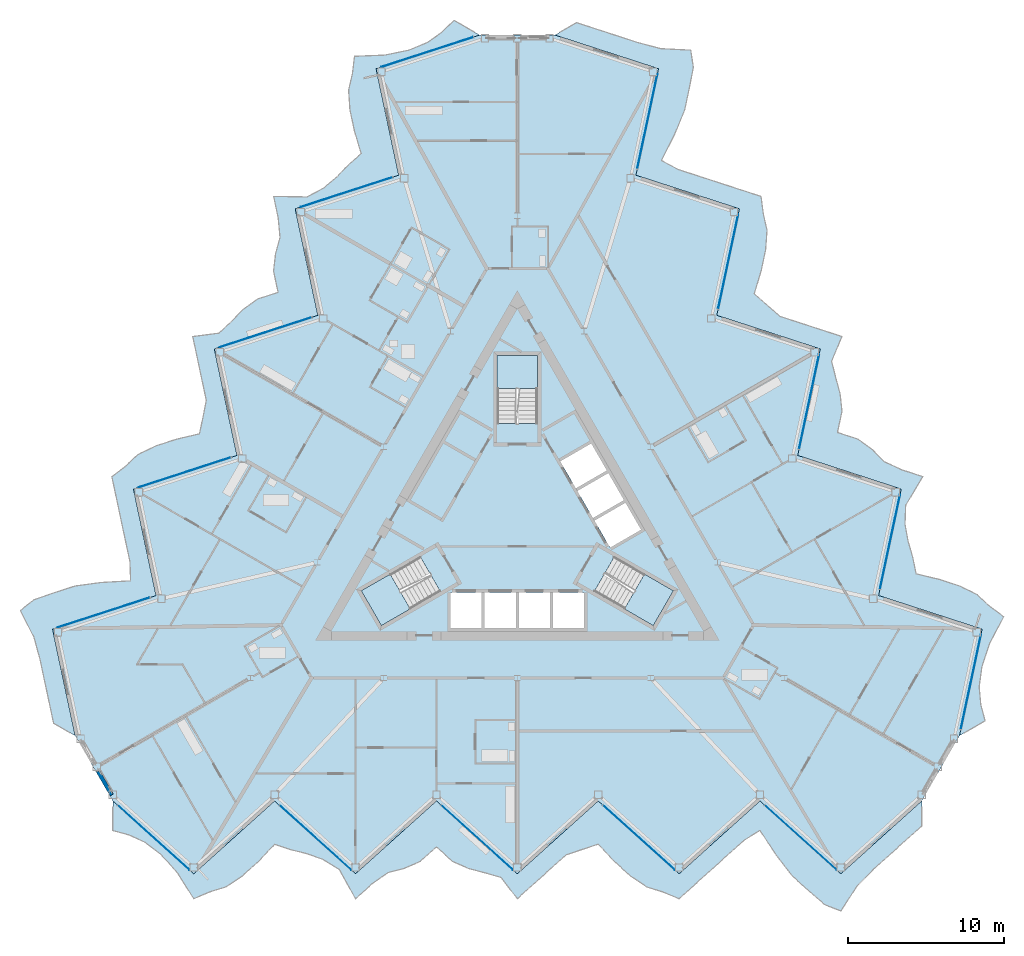
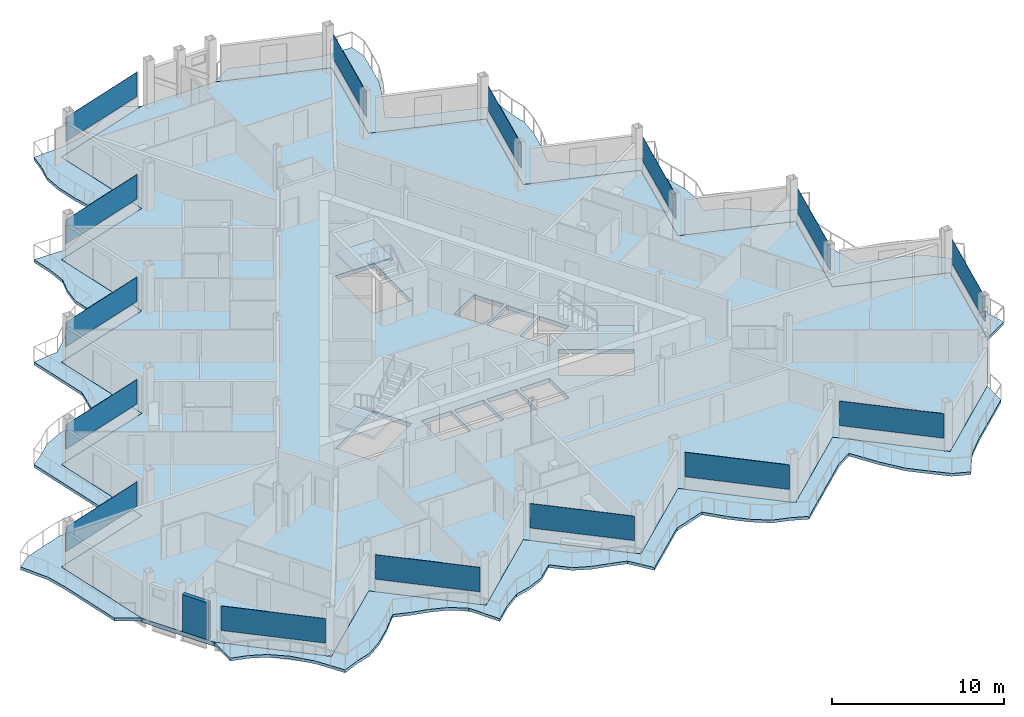
# One storey, part 11 of 26: 15 plates, 7 slabs, 1 wall, 18 elements without a shape of their own.
"""IFC4 building model written with IfcOpenShell, lengths in metres."""

from ifc_helpers import new_model, si_unit, direction, frame, frame_2d, origin, origin_2d, place, context, subcontext, project, spatial, polyline, rectangle, outline, extrude, material, layer, layer_set, type_object, element, aggregate, save


model = new_model("IFC4")

# Units and contexts
model_context = context("Model", 3, precision=1e-05, world=origin(), true_north=direction((0.0, 1.0)))
body_context = subcontext(model_context, "Body", "Model", "MODEL_VIEW")
ifc_project = project(units=[si_unit("LENGTHUNIT", "METRE"), si_unit("AREAUNIT", "SQUARE_METRE"), si_unit("VOLUMEUNIT", "CUBIC_METRE"), si_unit("PLANEANGLEUNIT", "RADIAN"), si_unit("MASSUNIT", "GRAM", prefix="KILO")], contexts=[model_context])

# Site, building, storey
site_placement = place(None, origin())
site = spatial("IfcSite", under=ifc_project, at=site_placement, CompositionType="ELEMENT")
building_placement = place(site_placement, origin())
building = spatial("IfcBuilding", under=site, at=building_placement, Name="Cormorant Prow Tower", CompositionType="ELEMENT")
storey_placement = place(building_placement, frame((0.0, 0.0, 384.800048828125)))
storey = spatial("IfcBuildingStorey", under=building, at=storey_placement, Name="L87", CompositionType="ELEMENT", Elevation=384.800048828125)

# Slabs
ifc_material_1 = material(Name="Concrete C40/50", Category="concrete")
ifc_layer_1 = layer(ifc_material_1, 0.199951171875)
ifc_layer_set_1 = layer_set([ifc_layer_1], Name="Concrete C40/50")
slab_type_1 = type_object("IfcSlabType", Name="Balcony slab 200", PredefinedType="FLOOR", material=ifc_layer_set_1)
slab_1_placement = place(storey_placement, frame((0.0, 0.0, -0.199951171875)))
element("IfcSlab", 1, at=slab_1_placement, inside=storey, type_object=slab_type_1, Name="Balcony slab S L87", PredefinedType="FLOOR", context=body_context, shape_type="SweptSolid", body=[
    extrude(outline(polyline([(-26.0, -17.8095703125), (-26.0, -19.709716796875), (-24.9599609375, -19.9931640625), (-23.919921875, -20.468994140625), (-22.8798828125, -21.272705078125), (-21.840087890625, -22.443359375), (-20.800048828125, -24.091796875), (-19.760009765625, -23.6494140625), (-18.719970703125, -23.329345703125), (-17.679931640625, -22.632568359375), (-16.639892578125, -21.696044921875), (-15.60009765625, -20.595458984375), (-14.56005859375, -20.940673828125), (-13.52001953125, -21.19921875), (-12.47998046875, -21.570556640625), (-11.43994140625, -22.221435546875), (-10.39990234375, -24.091796875), (-9.360107421875, -23.1552734375), (-8.320068359375, -22.416259765625), (-7.280029296875, -22.145751953125), (-6.239990234375, -21.696044921875), (-5.199951171875, -20.759765625), (-4.159912109375, -21.696044921875), (-3.1201171875, -22.1552734375), (-2.080078125, -22.427001953125), (-1.0400390625, -22.725830078125), (0.0, -24.091796875), (1.0400390625, -23.1552734375), (2.080078125, -22.218994140625), (3.1201171875, -21.282470703125), (4.159912109375, -20.930419921875), (5.199951171875, -20.587890625), (6.239990234375, -21.696044921875), (7.280029296875, -22.632568359375), (8.320068359375, -23.33740234375), (9.360107421875, -23.659912109375), (10.39990234375, -24.091796875), (11.43994140625, -23.1552734375), (12.47998046875, -22.218994140625), (13.52001953125, -21.282470703125), (14.56005859375, -20.34619140625), (15.60009765625, -19.698974609375), (16.639892578125, -21.289794921875), (17.679931640625, -22.632568359375), (18.719970703125, -23.56884765625), (19.760009765625, -24.473388671875), (20.800048828125, -24.881103515625), (21.840087890625, -23.27197265625), (22.8798828125, -22.218994140625), (23.919921875, -21.282470703125), (24.9599609375, -20.34619140625), (26.0, -19.40966796875), (26.0, -17.8095703125), (24.9599609375, -18.74609375), (23.919921875, -19.6826171875), (22.8798828125, -20.618896484375), (21.840087890625, -21.555419921875), (20.800048828125, -22.49169921875), (19.760009765625, -21.555419921875), (18.719970703125, -20.618896484375), (17.679931640625, -19.6826171875), (16.639892578125, -18.74609375), (15.60009765625, -17.8095703125), (14.56005859375, -18.74609375), (13.52001953125, -19.6826171875), (12.47998046875, -20.618896484375), (11.43994140625, -21.555419921875), (10.39990234375, -22.49169921875), (9.360107421875, -21.555419921875), (8.320068359375, -20.618896484375), (7.280029296875, -19.6826171875), (6.239990234375, -18.74609375), (5.199951171875, -17.8095703125), (4.159912109375, -18.74609375), (3.1201171875, -19.6826171875), (2.080078125, -20.618896484375), (1.0400390625, -21.555419921875), (0.0, -22.49169921875), (-1.0400390625, -21.555419921875), (-2.080078125, -20.618896484375), (-3.1201171875, -19.6826171875), (-4.159912109375, -18.74609375), (-5.199951171875, -17.8095703125), (-6.239990234375, -18.74609375), (-7.280029296875, -19.6826171875), (-8.320068359375, -20.618896484375), (-9.360107421875, -21.555419921875), (-10.39990234375, -22.49169921875), (-11.43994140625, -21.555419921875), (-12.47998046875, -20.618896484375), (-13.52001953125, -19.6826171875), (-14.56005859375, -18.74609375), (-15.60009765625, -17.8095703125), (-16.639892578125, -18.74609375), (-17.679931640625, -19.6826171875), (-18.719970703125, -20.618896484375), (-19.760009765625, -21.555419921875), (-20.800048828125, -22.49169921875), (-21.840087890625, -21.555419921875), (-22.8798828125, -20.618896484375), (-23.919921875, -19.6826171875), (-24.9599609375, -18.74609375), (-26.0, -17.8095703125)])), origin(), (0.0, 0.0, 1.0), 0.199951171875),
])
slab_2_placement = place(storey_placement, frame((0.0, 0.0, -0.199951171875)))
element("IfcSlab", 2, at=slab_2_placement, inside=storey, type_object=slab_type_1, Name="Balcony slab ENE L87", PredefinedType="FLOOR", context=body_context, shape_type="SweptSolid", body=[
    extrude(outline(polyline([(28.423583984375, -13.61181640625), (30.069091796875, -12.661865234375), (29.794677734375, -11.619384765625), (29.686767578125, -10.48095703125), (29.86279296875, -9.17822265625), (30.356689453125, -7.6923828125), (31.26416015625, -5.967529296875), (30.36083984375, -5.2880859375), (29.563720703125, -4.54736328125), (28.4404296875, -3.9951171875), (27.109375, -3.562744140625), (25.63623046875, -3.21240234375), (25.415283203125, -2.138916015625), (25.119140625, -1.109130859375), (24.920654296875, -0.022705078125), (24.964111328125, 1.203369140625), (26.06396484375, 3.039306640625), (24.733154296875, 3.4716796875), (23.572998046875, 4.0029296875), (22.81884765625, 4.768310546875), (21.909423828125, 5.444091796875), (20.578369140625, 5.87646484375), (20.869384765625, 7.245361328125), (20.7470703125, 8.37548828125), (20.46240234375, 9.412109375), (20.201171875, 10.462158203125), (20.864013671875, 12.0458984375), (19.533203125, 12.478271484375), (18.2021484375, 12.910888671875), (16.87109375, 13.34326171875), (16.046142578125, 14.06787109375), (15.229736328125, 14.79736328125), (15.66943359375, 16.251953125), (15.960205078125, 17.620849609375), (16.05078125, 18.8740234375), (15.81005859375, 19.935791015625), (15.6640625, 21.052490234375), (14.3330078125, 21.485107421875), (13.002197265625, 21.91748046875), (11.671142578125, 22.349853515625), (10.34033203125, 22.782470703125), (9.259765625, 23.359619140625), (10.11767578125, 25.0556640625), (10.76025390625, 26.627685546875), (11.05126953125, 27.996337890625), (11.314697265625, 29.349365234375), (11.147705078125, 30.453857421875), (9.234130859375, 30.550048828125), (7.80224609375, 30.924072265625), (6.47119140625, 31.356689453125), (5.14013671875, 31.7890625), (3.809326171875, 32.221435546875), (2.423583984375, 31.42138671875), (3.754638671875, 30.989013671875), (5.08544921875, 30.556640625), (6.41650390625, 30.1240234375), (7.74755859375, 29.691650390625), (9.078369140625, 29.25927734375), (8.787353515625, 27.890380859375), (8.49658203125, 26.521484375), (8.20556640625, 25.152587890625), (7.91455078125, 23.78369140625), (7.62353515625, 22.414794921875), (8.95458984375, 21.982421875), (10.28564453125, 21.5498046875), (11.616455078125, 21.117431640625), (12.947509765625, 20.68505859375), (14.2783203125, 20.25244140625), (13.987548828125, 18.8837890625), (13.696533203125, 17.514892578125), (13.405517578125, 16.14599609375), (13.114501953125, 14.777099609375), (12.82373046875, 13.408203125), (14.154541015625, 12.9755859375), (15.485595703125, 12.543212890625), (16.81640625, 12.11083984375), (18.1474609375, 11.67822265625), (19.478515625, 11.245849609375), (19.1875, 9.876953125), (18.896484375, 8.508056640625), (18.60546875, 7.13916015625), (18.314697265625, 5.770263671875), (18.023681640625, 4.401611328125), (19.3544921875, 3.968994140625), (20.685546875, 3.53662109375), (22.0166015625, 3.104248046875), (23.347412109375, 2.671630859375), (24.678466796875, 2.2392578125), (24.387451171875, 0.870361328125), (24.096435546875, -0.49853515625), (23.8056640625, -1.867431640625), (23.5146484375, -3.236328125), (23.2236328125, -4.605224609375), (24.5546875, -5.03759765625), (25.885498046875, -5.469970703125), (27.216552734375, -5.902587890625), (28.54736328125, -6.3349609375), (29.87841796875, -6.767333984375), (29.58740234375, -8.13623046875), (29.29638671875, -9.505126953125), (29.005615234375, -10.8740234375), (28.714599609375, -12.242919921875), (28.423583984375, -13.61181640625)])), origin(), (0.0, 0.0, 1.0), 0.199951171875),
])
slab_3_placement = place(storey_placement, frame((0.0, 0.0, -0.199951171875)))
element("IfcSlab", 3, at=slab_3_placement, inside=storey, type_object=slab_type_1, Name="Balcony slab WNW L87", PredefinedType="FLOOR", context=body_context, shape_type="SweptSolid", body=[
    extrude(outline(polyline([(-2.423583984375, 31.42138671875), (-4.069091796875, 32.37158203125), (-4.834716796875, 31.612548828125), (-5.7666015625, 30.94970703125), (-6.982666015625, 30.450927734375), (-8.5166015625, 30.1357421875), (-10.464111328125, 30.059326171875), (-10.600830078125, 28.937255859375), (-10.84375, 27.876708984375), (-10.76025390625, 26.627685546875), (-10.46923828125, 25.2587890625), (-10.0361328125, 23.8076171875), (-10.855224609375, 23.07958984375), (-11.59912109375, 22.308349609375), (-12.440673828125, 21.59326171875), (-13.524169921875, 21.01806640625), (-15.6640625, 21.052490234375), (-15.373046875, 19.68359375), (-15.253173828125, 18.41357421875), (-15.538818359375, 17.37744140625), (-15.66943359375, 16.251953125), (-15.37841796875, 14.883056640625), (-16.70947265625, 14.45068359375), (-17.626953125, 13.779541015625), (-18.38232421875, 13.014892578125), (-19.1611328125, 12.263671875), (-20.864013671875, 12.0458984375), (-20.572998046875, 10.677001953125), (-20.2822265625, 9.30810546875), (-19.9912109375, 7.939208984375), (-20.206298828125, 6.862548828125), (-20.4296875, 5.79052734375), (-21.909423828125, 5.444091796875), (-23.240234375, 5.011474609375), (-24.370849609375, 4.46337890625), (-25.169921875, 3.723876953125), (-26.06396484375, 3.039306640625), (-25.773193359375, 1.67041015625), (-25.482177734375, 0.301513671875), (-25.191162109375, -1.0673828125), (-24.900146484375, -2.436279296875), (-24.85986328125, -3.660400390625), (-26.757568359375, -3.765625), (-28.4404296875, -3.9951171875), (-29.771240234375, -4.427490234375), (-31.07470703125, -4.8759765625), (-31.94775390625, -5.57275390625), (-31.073974609375, -7.278076171875), (-30.68212890625, -8.705322265625), (-30.39111328125, -10.073974609375), (-30.100341796875, -11.44287109375), (-29.809326171875, -12.811767578125), (-28.423583984375, -13.61181640625), (-28.714599609375, -12.242919921875), (-29.005615234375, -10.8740234375), (-29.29638671875, -9.505126953125), (-29.58740234375, -8.13623046875), (-29.87841796875, -6.767333984375), (-28.54736328125, -6.3349609375), (-27.216552734375, -5.902587890625), (-25.885498046875, -5.469970703125), (-24.5546875, -5.03759765625), (-23.2236328125, -4.605224609375), (-23.5146484375, -3.236328125), (-23.8056640625, -1.867431640625), (-24.096435546875, -0.49853515625), (-24.387451171875, 0.870361328125), (-24.678466796875, 2.2392578125), (-23.347412109375, 2.671630859375), (-22.0166015625, 3.104248046875), (-20.685546875, 3.53662109375), (-19.3544921875, 3.968994140625), (-18.023681640625, 4.401611328125), (-18.314697265625, 5.770263671875), (-18.60546875, 7.13916015625), (-18.896484375, 8.508056640625), (-19.1875, 9.876953125), (-19.478515625, 11.245849609375), (-18.1474609375, 11.67822265625), (-16.81640625, 12.11083984375), (-15.485595703125, 12.543212890625), (-14.154541015625, 12.9755859375), (-12.82373046875, 13.408203125), (-13.114501953125, 14.777099609375), (-13.405517578125, 16.14599609375), (-13.696533203125, 17.514892578125), (-13.987548828125, 18.8837890625), (-14.2783203125, 20.25244140625), (-12.947509765625, 20.68505859375), (-11.616455078125, 21.117431640625), (-10.28564453125, 21.5498046875), (-8.95458984375, 21.982421875), (-7.62353515625, 22.414794921875), (-7.91455078125, 23.78369140625), (-8.20556640625, 25.152587890625), (-8.49658203125, 26.521484375), (-8.787353515625, 27.890380859375), (-9.078369140625, 29.25927734375), (-7.74755859375, 29.691650390625), (-6.41650390625, 30.1240234375), (-5.08544921875, 30.556640625), (-3.754638671875, 30.989013671875), (-2.423583984375, 31.42138671875)])), origin(), (0.0, 0.0, 1.0), 0.199951171875),
])
ifc_material_2 = material(Name="Concrete C40/50", Category="concrete")
ifc_layer_2 = layer(ifc_material_2, 0.300048828125)
ifc_layer_set_2 = layer_set([ifc_layer_2], Name="Concrete C40/50")
slab_type_2 = type_object("IfcSlabType", Name="Post-tensioned flat slab 300", PredefinedType="FLOOR", material=ifc_layer_set_2)
slab_4_placement = place(storey_placement, frame((0.0, 0.0, -0.300048828125)))
element("IfcSlab", 4, at=slab_4_placement, inside=storey, type_object=slab_type_2, Name="Floor slab L87", PredefinedType="FLOOR", context=body_context, shape_type="SweptSolid", body=[
    extrude(outline(polyline([(-7.62353515625, 22.414794921875), (-14.2783203125, 20.25244140625), (-12.82373046875, 13.408203125), (-19.478515625, 11.245849609375), (-18.023681640625, 4.401611328125), (-24.678466796875, 2.2392578125), (-23.2236328125, -4.605224609375), (-29.87841796875, -6.767333984375), (-28.423583984375, -13.61181640625), (-27.2119140625, -15.710693359375), (-26.0, -17.8095703125), (-20.800048828125, -22.49169921875), (-15.60009765625, -17.8095703125), (-10.39990234375, -22.49169921875), (-5.199951171875, -17.8095703125), (0.0, -22.49169921875), (5.199951171875, -17.8095703125), (10.39990234375, -22.49169921875), (15.60009765625, -17.8095703125), (20.800048828125, -22.49169921875), (26.0, -17.8095703125), (27.2119140625, -15.710693359375), (28.423583984375, -13.61181640625), (29.87841796875, -6.767333984375), (23.2236328125, -4.605224609375), (24.678466796875, 2.2392578125), (18.023681640625, 4.401611328125), (19.478515625, 11.245849609375), (12.82373046875, 13.408203125), (14.2783203125, 20.25244140625), (7.62353515625, 22.414794921875), (9.078369140625, 29.25927734375), (2.423583984375, 31.42138671875), (0.0, 31.42138671875), (-2.423583984375, 31.42138671875), (-9.078369140625, 29.25927734375), (-7.62353515625, 22.414794921875)]), holes=[polyline([(-4.300048828125, -4.39990234375), (-2.300048828125, -4.39990234375), (-2.300048828125, -6.699951171875), (-4.300048828125, -6.699951171875), (-4.300048828125, -4.39990234375)]), polyline([(-0.10009765625, -4.39990234375), (-0.10009765625, -6.699951171875), (-2.10009765625, -6.699951171875), (-2.10009765625, -4.39990234375), (-0.10009765625, -4.39990234375)]), polyline([(2.10009765625, -6.699951171875), (0.10009765625, -6.699951171875), (0.10009765625, -4.39990234375), (2.10009765625, -4.39990234375), (2.10009765625, -6.699951171875)]), polyline([(2.300048828125, -6.699951171875), (2.300048828125, -4.39990234375), (4.300048828125, -4.39990234375), (4.300048828125, -6.699951171875), (2.300048828125, -6.699951171875)]), polyline([(5.96044921875, -1.52392578125), (4.96044921875, 0.2080078125), (6.952392578125, 1.358154296875), (7.952392578125, -0.373779296875), (5.96044921875, -1.52392578125)]), polyline([(3.860595703125, 2.11328125), (5.852294921875, 3.263427734375), (6.852294921875, 1.53125), (4.860595703125, 0.38134765625), (3.860595703125, 2.11328125)]), polyline([(4.75244140625, 5.168701171875), (5.75244140625, 3.4365234375), (3.760498046875, 2.28662109375), (2.760498046875, 4.018798828125), (4.75244140625, 5.168701171875)]), polyline([(-4.947509765625, -4.3505859375), (-8.738037109375, -6.5390625), (-10.031982421875, -4.2978515625), (-6.241455078125, -2.109375), (-4.947509765625, -4.3505859375)]), polyline([(10.031982421875, -4.2978515625), (8.738037109375, -6.5390625), (4.947509765625, -4.3505859375), (6.241455078125, -2.109375), (10.031982421875, -4.2978515625)]), polyline([(1.2939453125, 10.8369140625), (1.2939453125, 6.459716796875), (-1.2939453125, 6.459716796875), (-1.2939453125, 10.8369140625), (1.2939453125, 10.8369140625)])]), origin(), (0.0, 0.0, 1.0), 0.300048828125),
])

# Curtain wall, plate
ifc_material_3 = material(Name="Aluminium 6063-T6", Category="aluminium")
ifc_layer_3 = layer(ifc_material_3, 0.159912109375)
ifc_layer_set_3 = layer_set([ifc_layer_3], Name="Aluminium 6063-T6")
curtain_wall_type = type_object("IfcCurtainWallType", Name="Residential unitised curtain wall 160", PredefinedType="NOTDEFINED", material=ifc_layer_set_3)
curtain_wall_1_placement = place(storey_placement, origin())
curtain_wall_1 = element("IfcCurtainWall", 5, at=curtain_wall_1_placement, inside=storey, type_object=curtain_wall_type, Name="Residential curtain wall S00", PredefinedType="NOTDEFINED")
ifc_material_4 = material(Name="Clear glass", Category="glass")
ifc_layer_4 = layer(ifc_material_4, 0.02392578125)
ifc_layer_set_4 = layer_set([ifc_layer_4], Name="Clear glass")
plate_type = type_object("IfcPlateType", Name="Residential glass panel 24", PredefinedType="CURTAIN_PANEL", material=ifc_layer_set_4)
plate_1_placement = place(storey_placement, frame((-23.38134765625, -20.16748046875, 0.89990234375), z_axis=(0.0, 0.0, 1.0), x_axis=(0.743144827638, -0.669130603959, 0.0)))
plate_1 = element("IfcPlate", 6, at=plate_1_placement, type_object=plate_type, Name="Residential glass panel S00", PredefinedType="CURTAIN_PANEL", context=body_context, shape_type="SweptSolid", body=[
    extrude(rectangle(XDim=6.21533203125, YDim=0.02392578125, at=origin_2d()), origin(), (0.0, 0.0, 1.0), 1.73388671875),
])
aggregate(curtain_wall_1, [plate_1])

curtain_wall_2_placement = place(storey_placement, origin())
curtain_wall_2 = element("IfcCurtainWall", 7, at=curtain_wall_2_placement, inside=storey, type_object=curtain_wall_type, Name="Residential curtain wall S02", PredefinedType="NOTDEFINED")
plate_2_placement = place(storey_placement, frame((-12.9814453125, -20.16748046875, 0.89990234375), z_axis=(0.0, 0.0, 1.0), x_axis=(0.743144827638, -0.669130603959, 0.0)))
plate_2 = element("IfcPlate", 8, at=plate_2_placement, type_object=plate_type, Name="Residential glass panel S02", PredefinedType="CURTAIN_PANEL", context=body_context, shape_type="SweptSolid", body=[
    extrude(rectangle(XDim=6.21533203125, YDim=0.02392578125, at=origin_2d()), origin(), (0.0, 0.0, 1.0), 1.73388671875),
])
aggregate(curtain_wall_2, [plate_2])

curtain_wall_3_placement = place(storey_placement, origin())
curtain_wall_3 = element("IfcCurtainWall", 9, at=curtain_wall_3_placement, inside=storey, type_object=curtain_wall_type, Name="Residential curtain wall S04", PredefinedType="NOTDEFINED")
plate_3_placement = place(storey_placement, frame((-2.58154296875, -20.16748046875, 0.89990234375), z_axis=(0.0, 0.0, 1.0), x_axis=(0.743144827638, -0.669130603959, 0.0)))
plate_3 = element("IfcPlate", 10, at=plate_3_placement, type_object=plate_type, Name="Residential glass panel S04", PredefinedType="CURTAIN_PANEL", context=body_context, shape_type="SweptSolid", body=[
    extrude(rectangle(XDim=6.21533203125, YDim=0.02392578125, at=origin_2d()), origin(), (0.0, 0.0, 1.0), 1.73388671875),
])
aggregate(curtain_wall_3, [plate_3])

curtain_wall_4_placement = place(storey_placement, origin())
curtain_wall_4 = element("IfcCurtainWall", 11, at=curtain_wall_4_placement, inside=storey, type_object=curtain_wall_type, Name="Residential curtain wall S06", PredefinedType="NOTDEFINED")
plate_4_placement = place(storey_placement, frame((7.818603515625, -20.16748046875, 0.89990234375), z_axis=(0.0, 0.0, 1.0), x_axis=(0.743144827638, -0.669130603959, 0.0)))
plate_4 = element("IfcPlate", 12, at=plate_4_placement, type_object=plate_type, Name="Residential glass panel S06", PredefinedType="CURTAIN_PANEL", context=body_context, shape_type="SweptSolid", body=[
    extrude(rectangle(XDim=6.21533203125, YDim=0.02392578125, at=origin_2d()), origin(), (0.0, 0.0, 1.0), 1.73388671875),
])
aggregate(curtain_wall_4, [plate_4])

curtain_wall_5_placement = place(storey_placement, origin())
curtain_wall_5 = element("IfcCurtainWall", 13, at=curtain_wall_5_placement, inside=storey, type_object=curtain_wall_type, Name="Residential curtain wall S08", PredefinedType="NOTDEFINED")
plate_5_placement = place(storey_placement, frame((18.218505859375, -20.16748046875, 0.89990234375), z_axis=(0.0, 0.0, 1.0), x_axis=(0.743144827638, -0.669130603959, 0.0)))
plate_5 = element("IfcPlate", 14, at=plate_5_placement, type_object=plate_type, Name="Residential glass panel S08", PredefinedType="CURTAIN_PANEL", context=body_context, shape_type="SweptSolid", body=[
    extrude(rectangle(XDim=6.21533203125, YDim=0.02392578125, at=origin_2d()), origin(), (0.0, 0.0, 1.0), 1.73388671875),
])
aggregate(curtain_wall_5, [plate_5])

curtain_wall_6_placement = place(storey_placement, origin())
curtain_wall_6 = element("IfcCurtainWall", 15, at=curtain_wall_6_placement, inside=storey, type_object=curtain_wall_type, Name="Residential curtain wall ENE00", PredefinedType="NOTDEFINED")
plate_6_placement = place(storey_placement, frame((29.15625, -10.165283203125, 0.89990234375), z_axis=(0.0, 0.0, 1.0), x_axis=(0.207911620089, 0.978147615768, 0.0)))
plate_6 = element("IfcPlate", 16, at=plate_6_placement, type_object=plate_type, Name="Residential glass panel ENE00", PredefinedType="CURTAIN_PANEL", context=body_context, shape_type="SweptSolid", body=[
    extrude(rectangle(XDim=6.21533203125, YDim=0.02392578125, at=origin_2d()), origin(), (0.0, 0.0, 1.0), 1.73388671875),
])
aggregate(curtain_wall_6, [plate_6])

curtain_wall_7_placement = place(storey_placement, origin())
curtain_wall_7 = element("IfcCurtainWall", 17, at=curtain_wall_7_placement, inside=storey, type_object=curtain_wall_type, Name="Residential curtain wall ENE02", PredefinedType="NOTDEFINED")
plate_7_placement = place(storey_placement, frame((23.956298828125, -1.158447265625, 0.89990234375), z_axis=(0.0, 0.0, 1.0), x_axis=(0.207911756835, 0.978147586701, 0.0)))
plate_7 = element("IfcPlate", 18, at=plate_7_placement, type_object=plate_type, Name="Residential glass panel ENE02", PredefinedType="CURTAIN_PANEL", context=body_context, shape_type="SweptSolid", body=[
    extrude(rectangle(XDim=6.21533203125, YDim=0.02392578125, at=origin_2d()), origin(), (0.0, 0.0, 1.0), 1.73388671875),
])
aggregate(curtain_wall_7, [plate_7])

curtain_wall_8_placement = place(storey_placement, origin())
curtain_wall_8 = element("IfcCurtainWall", 19, at=curtain_wall_8_placement, inside=storey, type_object=curtain_wall_type, Name="Residential curtain wall ENE04", PredefinedType="NOTDEFINED")
plate_8_placement = place(storey_placement, frame((18.756103515625, 7.84814453125, 0.89990234375), z_axis=(0.0, 0.0, 1.0), x_axis=(0.207911756835, 0.978147586701, 0.0)))
plate_8 = element("IfcPlate", 20, at=plate_8_placement, type_object=plate_type, Name="Residential glass panel ENE04", PredefinedType="CURTAIN_PANEL", context=body_context, shape_type="SweptSolid", body=[
    extrude(rectangle(XDim=6.21533203125, YDim=0.02392578125, at=origin_2d()), origin(), (0.0, 0.0, 1.0), 1.73388671875),
])
aggregate(curtain_wall_8, [plate_8])

curtain_wall_9_placement = place(storey_placement, origin())
curtain_wall_9 = element("IfcCurtainWall", 21, at=curtain_wall_9_placement, inside=storey, type_object=curtain_wall_type, Name="Residential curtain wall ENE06", PredefinedType="NOTDEFINED")
plate_9_placement = place(storey_placement, frame((13.55615234375, 16.854736328125, 0.89990234375), z_axis=(0.0, 0.0, 1.0), x_axis=(0.207911756835, 0.978147586701, 0.0)))
plate_9 = element("IfcPlate", 22, at=plate_9_placement, type_object=plate_type, Name="Residential glass panel ENE06", PredefinedType="CURTAIN_PANEL", context=body_context, shape_type="SweptSolid", body=[
    extrude(rectangle(XDim=6.21533203125, YDim=0.02392578125, at=origin_2d()), origin(), (0.0, 0.0, 1.0), 1.73388671875),
])
aggregate(curtain_wall_9, [plate_9])

curtain_wall_10_placement = place(storey_placement, origin())
curtain_wall_10 = element("IfcCurtainWall", 23, at=curtain_wall_10_placement, inside=storey, type_object=curtain_wall_type, Name="Residential curtain wall ENE08", PredefinedType="NOTDEFINED")
plate_10_placement = place(storey_placement, frame((8.356201171875, 25.861572265625, 0.89990234375), z_axis=(0.0, 0.0, 1.0), x_axis=(0.207911785891, 0.978147580525, 0.0)))
plate_10 = element("IfcPlate", 24, at=plate_10_placement, type_object=plate_type, Name="Residential glass panel ENE08", PredefinedType="CURTAIN_PANEL", context=body_context, shape_type="SweptSolid", body=[
    extrude(rectangle(XDim=6.21533203125, YDim=0.02392578125, at=origin_2d()), origin(), (0.0, 0.0, 1.0), 1.73388671875),
])
aggregate(curtain_wall_10, [plate_10])

curtain_wall_11_placement = place(storey_placement, origin())
curtain_wall_11 = element("IfcCurtainWall", 25, at=curtain_wall_11_placement, inside=storey, type_object=curtain_wall_type, Name="Residential curtain wall WNW00", PredefinedType="NOTDEFINED")
plate_11_placement = place(storey_placement, frame((-5.77490234375, 30.33251953125, 0.89990234375), z_axis=(0.0, 0.0, 1.0), x_axis=(-0.951056506549, -0.309017024369, 0.0)))
plate_11 = element("IfcPlate", 26, at=plate_11_placement, type_object=plate_type, Name="Residential glass panel WNW00", PredefinedType="CURTAIN_PANEL", context=body_context, shape_type="SweptSolid", body=[
    extrude(rectangle(XDim=6.21533203125, YDim=0.02392578125, at=origin_2d()), origin(), (0.0, 0.0, 1.0), 1.73388671875),
])
aggregate(curtain_wall_11, [plate_11])

curtain_wall_12_placement = place(storey_placement, origin())
curtain_wall_12 = element("IfcCurtainWall", 27, at=curtain_wall_12_placement, inside=storey, type_object=curtain_wall_type, Name="Residential curtain wall WNW02", PredefinedType="NOTDEFINED")
plate_12_placement = place(storey_placement, frame((-10.974853515625, 21.325927734375, 0.89990234375), z_axis=(0.0, 0.0, 1.0), x_axis=(-0.951056506549, -0.309017024369, 0.0)))
plate_12 = element("IfcPlate", 28, at=plate_12_placement, type_object=plate_type, Name="Residential glass panel WNW02", PredefinedType="CURTAIN_PANEL", context=body_context, shape_type="SweptSolid", body=[
    extrude(rectangle(XDim=6.21533203125, YDim=0.02392578125, at=origin_2d()), origin(), (0.0, 0.0, 1.0), 1.73388671875),
])
aggregate(curtain_wall_12, [plate_12])

curtain_wall_13_placement = place(storey_placement, origin())
curtain_wall_13 = element("IfcCurtainWall", 29, at=curtain_wall_13_placement, inside=storey, type_object=curtain_wall_type, Name="Residential curtain wall WNW04", PredefinedType="NOTDEFINED")
plate_13_placement = place(storey_placement, frame((-16.1748046875, 12.3193359375, 0.89990234375), z_axis=(0.0, 0.0, 1.0), x_axis=(-0.951056548553, -0.309016895096, 0.0)))
plate_13 = element("IfcPlate", 30, at=plate_13_placement, type_object=plate_type, Name="Residential glass panel WNW04", PredefinedType="CURTAIN_PANEL", context=body_context, shape_type="SweptSolid", body=[
    extrude(rectangle(XDim=6.21533203125, YDim=0.02392578125, at=origin_2d()), origin(), (0.0, 0.0, 1.0), 1.73388671875),
])
aggregate(curtain_wall_13, [plate_13])

curtain_wall_14_placement = place(storey_placement, origin())
curtain_wall_14 = element("IfcCurtainWall", 31, at=curtain_wall_14_placement, inside=storey, type_object=curtain_wall_type, Name="Residential curtain wall WNW06", PredefinedType="NOTDEFINED")
plate_14_placement = place(storey_placement, frame((-21.374755859375, 3.312744140625, 0.89990234375), z_axis=(0.0, 0.0, 1.0), x_axis=(-0.951056506549, -0.309017024369, 0.0)))
plate_14 = element("IfcPlate", 32, at=plate_14_placement, type_object=plate_type, Name="Residential glass panel WNW06", PredefinedType="CURTAIN_PANEL", context=body_context, shape_type="SweptSolid", body=[
    extrude(rectangle(XDim=6.21533203125, YDim=0.02392578125, at=origin_2d()), origin(), (0.0, 0.0, 1.0), 1.73388671875),
])
aggregate(curtain_wall_14, [plate_14])

curtain_wall_15_placement = place(storey_placement, origin())
curtain_wall_15 = element("IfcCurtainWall", 33, at=curtain_wall_15_placement, inside=storey, type_object=curtain_wall_type, Name="Residential curtain wall WNW08", PredefinedType="NOTDEFINED")
plate_15_placement = place(storey_placement, frame((-26.57470703125, -5.694091796875, 0.89990234375), z_axis=(0.0, 0.0, 1.0), x_axis=(-0.951056548553, -0.309016895096, 0.0)))
plate_15 = element("IfcPlate", 34, at=plate_15_placement, type_object=plate_type, Name="Residential glass panel WNW08", PredefinedType="CURTAIN_PANEL", context=body_context, shape_type="SweptSolid", body=[
    extrude(rectangle(XDim=6.21533203125, YDim=0.02392578125, at=origin_2d()), origin(), (0.0, 0.0, 1.0), 1.73388671875),
])
aggregate(curtain_wall_15, [plate_15])

# Stair, slab
ifc_material_5 = material(Name="Exit stair 18 risers")
stair_type = type_object("IfcStairType", Name="Exit stair 18 risers", PredefinedType="HALF_TURN_STAIR", material=ifc_material_5)
stair_1_placement = place(storey_placement, origin())
stair_1 = element("IfcStair", 35, at=stair_1_placement, inside=storey, type_object=stair_type, Name="L87 Exit stair ST1", PredefinedType="HALF_TURN_STAIR")
ifc_material_6 = material(Name="Concrete 5000 psi", Category="concrete")
ifc_layer_5 = layer(ifc_material_6, 0.199951171875)
ifc_layer_set_5 = layer_set([ifc_layer_5], Name="Concrete 5000 psi")
slab_type_3 = type_object("IfcSlabType", Name="Stair landing 200", PredefinedType="LANDING", material=ifc_layer_set_5)
slab_5_placement = place(storey_placement, frame((0.0, 0.0, 1.5)))
slab_5 = element("IfcSlab", 36, at=slab_5_placement, type_object=slab_type_3, Name="ST1 landing 1", PredefinedType="LANDING", context=body_context, shape_type="SweptSolid", body=[
    extrude(outline(polyline([(-8.17431640625, -3.225341796875), (-10.031982421875, -4.2978515625), (-8.738037109375, -6.5390625), (-6.88037109375, -5.466552734375), (-8.17431640625, -3.225341796875)])), origin(), (0.0, 0.0, 1.0), 0.199951171875),
])
aggregate(stair_1, [slab_5])

stair_2_placement = place(storey_placement, origin())
stair_2 = element("IfcStair", 37, at=stair_2_placement, inside=storey, type_object=stair_type, Name="L87 Exit stair ST2", PredefinedType="HALF_TURN_STAIR")
slab_6_placement = place(storey_placement, frame((0.0, 0.0, 1.5)))
slab_6 = element("IfcSlab", 38, at=slab_6_placement, type_object=slab_type_3, Name="ST2 landing 1", PredefinedType="LANDING", context=body_context, shape_type="SweptSolid", body=[
    extrude(outline(polyline([(6.88037109375, -5.466552734375), (8.738037109375, -6.5390625), (10.031982421875, -4.2978515625), (8.17431640625, -3.225341796875), (6.88037109375, -5.466552734375)])), origin(), (0.0, 0.0, 1.0), 0.199951171875),
])
aggregate(stair_2, [slab_6])

stair_3_placement = place(storey_placement, origin())
stair_3 = element("IfcStair", 39, at=stair_3_placement, inside=storey, type_object=stair_type, Name="L87 Exit stair ST3", PredefinedType="HALF_TURN_STAIR")
slab_7_placement = place(storey_placement, frame((0.0, 0.0, 1.5)))
slab_7 = element("IfcSlab", 40, at=slab_7_placement, type_object=slab_type_3, Name="ST3 landing 1", PredefinedType="LANDING", context=body_context, shape_type="SweptSolid", body=[
    extrude(outline(polyline([(1.2939453125, 8.69189453125), (1.2939453125, 10.8369140625), (-1.2939453125, 10.8369140625), (-1.2939453125, 8.69189453125), (1.2939453125, 8.69189453125)])), origin(), (0.0, 0.0, 1.0), 0.199951171875),
])
aggregate(stair_3, [slab_7])

# Wall
ifc_material_7 = material(Name="Terracotta", Category="masonry")
ifc_layer_6 = layer(ifc_material_7, 0.25)
ifc_layer_set_6 = layer_set([ifc_layer_6], Name="Terracotta")
wall_type = type_object("IfcWallType", Name="Terracotta bay wall 250", PredefinedType="SOLIDWALL", material=ifc_layer_set_6)
wall_placement = place(storey_placement, frame((-26.95263671875, -15.90966796875, 0.0), z_axis=(0.0, 0.0, 1.0), x_axis=(0.500027377864, -0.86600959659, 0.0)))
element("IfcWall", 41, at=wall_placement, inside=storey, type_object=wall_type, Name="Terracotta bay wall WSW01", PredefinedType="SOLIDWALL", context=body_context, shape_type="SweptSolid", body=[
    extrude(rectangle(XDim=1.755859375, YDim=0.25, at=frame_2d((0.8779296875, 0.0))), origin(), (0.0, 0.0, 1.0), 2.6337890625),
])

save(model, "model.ifc")
